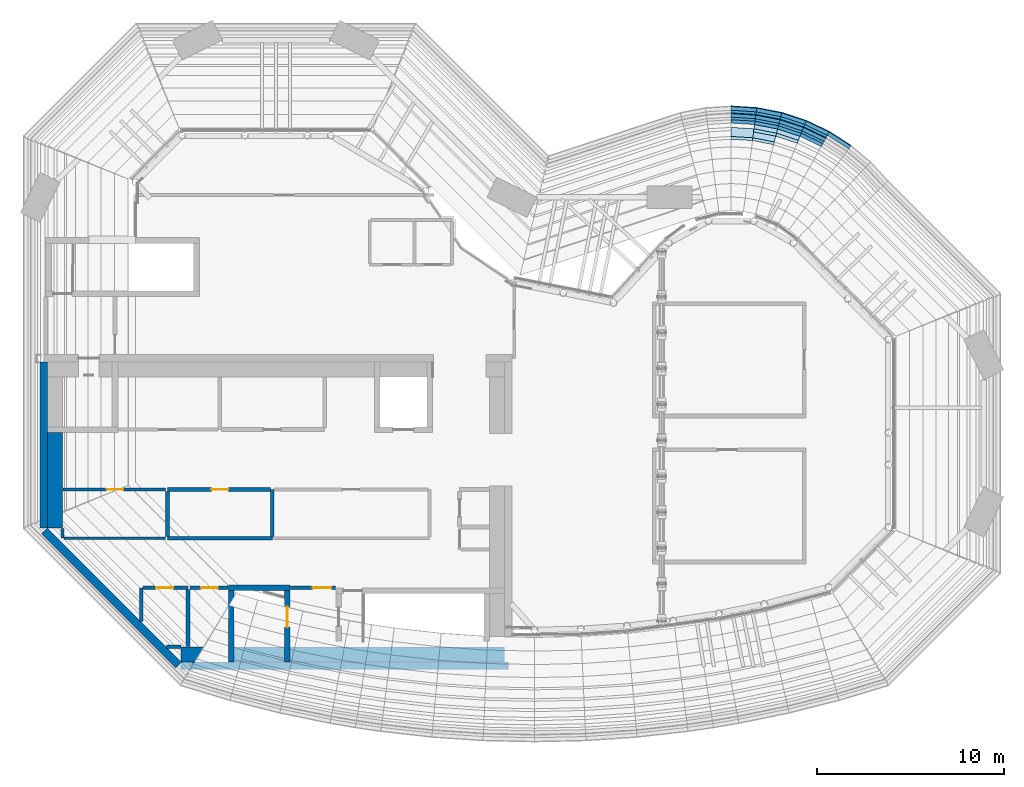
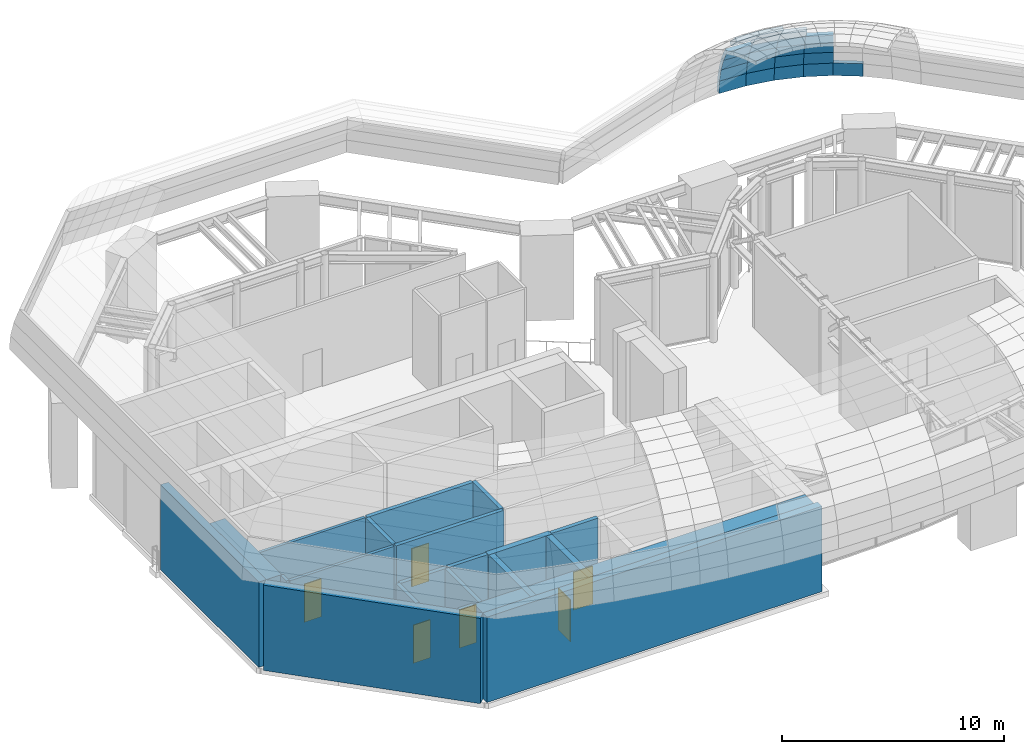
# One storey, part 16 of 20: 23 walls, 21 plates, 6 doors, 6 openings.
"""IFC4 building model written with IfcOpenShell, lengths in metres."""

from ifc_helpers import new_model, si_unit, direction, frame, frame_2d, origin, place, context, subcontext, project, spatial, polyline, rectangle, outline, extrude, material, layer, layer_set, type_object, element, fill, save


model = new_model("IFC4")

# Units and contexts
model_context = context("Model", 3, precision=1e-05, world=origin(), true_north=direction((0.0, 1.0)))
body_context = subcontext(model_context, "Body", "Model", "MODEL_VIEW")
ifc_project = project(units=[si_unit("LENGTHUNIT", "METRE"), si_unit("AREAUNIT", "SQUARE_METRE"), si_unit("VOLUMEUNIT", "CUBIC_METRE"), si_unit("PLANEANGLEUNIT", "RADIAN"), si_unit("MASSUNIT", "GRAM", prefix="KILO")], contexts=[model_context])

# Site, building, storey
site_placement = place(None, origin())
site = spatial("IfcSite", under=ifc_project, at=site_placement, CompositionType="ELEMENT")
building_placement = place(site_placement, origin())
building = spatial("IfcBuilding", under=site, at=building_placement, Name="Brevane Broadcast Tower", CompositionType="ELEMENT")
storey_placement = place(building_placement, frame((0.0, 0.0, 264.199951171875)))
storey = spatial("IfcBuildingStorey", under=building, at=storey_placement, Name="L66", CompositionType="ELEMENT", Elevation=264.199951171875)

# Plates
ifc_material_1 = material(Name="Aluminium bronze anodised", Category="aluminium")
ifc_layer_1 = layer(ifc_material_1, 0.199951171875)
ifc_layer_set_1 = layer_set([ifc_layer_1], Name="Canopy shoulder plate 200")
plate_type = type_object("IfcPlateType", Name="Canopy shoulder plate 200", PredefinedType="SHEET", material=ifc_layer_set_1)
plate_1_placement = place(storey_placement, frame((43.317138671875, 27.99169921875, 5.150146484375), z_axis=(0.539623240663, 0.839354653462, 0.0655020904), x_axis=(-0.841161079454, 0.54078465068, -6.93935e-07)))
element("IfcPlate", 1, at=plate_1_placement, inside=storey, type_object=plate_type, Name="Canopy shoulder", PredefinedType="SHEET", context=body_context, shape_type="SweptSolid", body=[
    extrude(outline(polyline([(0.0, 0.0), (1.3728559639980205, 6.938893903907228e-18), (1.3698614391128725, 0.7325311422460334), (0.002829064482020572, 0.7325292368507225), (0.0, 0.0)])), origin(), (0.0, 0.0, -1.0), 0.199951171875),
])
plate_2_placement = place(storey_placement, frame((42.162353515625, 28.734130859375, 5.150146484375), z_axis=(0.428992527378, 0.900928762677, 0.065519279873), x_axis=(-0.902868746443, 0.429916301966, -2.52722e-07)))
element("IfcPlate", 2, at=plate_2_placement, inside=storey, type_object=plate_type, Name="Canopy shoulder", PredefinedType="SHEET", context=body_context, shape_type="SweptSolid", body=[
    extrude(outline(polyline([(0.0, 0.0), (1.3731213653789252, -6.938893903907228e-18), (1.370004660931143, 0.7325313650349983), (0.0031076755546150464, 0.7325306710818967), (0.0, 0.0)])), origin(), (0.0, 0.0, -1.0), 0.199951171875),
])
plate_3_placement = place(storey_placement, frame((42.138916015625, 28.692138671875, 5.881103515625), z_axis=(0.421655057698, 0.885546161536, 0.194974378077), x_axis=(-0.902873683563, 0.429905933347, -1.507686e-06)))
element("IfcPlate", 3, at=plate_3_placement, inside=storey, type_object=plate_type, Name="Canopy shoulder", PredefinedType="SHEET", context=body_context, shape_type="SweptSolid", body=[
    extrude(outline(polyline([(0.0, 0.0), (1.3668969853460982, -2.7755575615628914e-17), (1.3578523563573455, 0.7323181702586614), (0.009082696857397356, 0.7323139957693421), (0.0, 0.0)])), origin(), (0.0, 0.0, -1.0), 0.199951171875),
])
plate_4_placement = place(storey_placement, frame((42.0693359375, 28.567138671875, 6.599365234375), z_axis=(0.407134836902, 0.854913828446, 0.321502053668), x_axis=(-0.902850112922, 0.429955431571, 2.1428807e-05)))
element("IfcPlate", 4, at=plate_4_placement, inside=storey, type_object=plate_type, Name="Canopy shoulder", PredefinedType="SHEET", context=body_context, shape_type="SweptSolid", body=[
    extrude(outline(polyline([(0.0, 0.0), (1.3487696565518625, -2.7755575615628914e-17), (1.3337584377190823, 0.7324621710137448), (0.01491408511644863, 0.7325225398493933), (0.0, 0.0)])), origin(), (0.0, 0.0, -1.0), 0.199951171875),
])
plate_5_placement = place(storey_placement, frame((41.95458984375, 28.36083984375, 7.29296875), z_axis=(0.385653884926, 0.809679192909, 0.442369399499), x_axis=(-0.902819655592, 0.430019382657, -4.157427e-06)))
element("IfcPlate", 5, at=plate_5_placement, inside=storey, type_object=plate_type, Name="Canopy shoulder", PredefinedType="SHEET", context=body_context, shape_type="SweptSolid", body=[
    extrude(outline(polyline([(0.0, 0.0), (1.3188443569899955, 5.551115123125783e-17), (1.2980698903509795, 0.7325643299089377), (0.020612941134282713, 0.7325522942983611), (0.0, 0.0)])), origin(), (0.0, 0.0, -1.0), 0.199951171875),
])
plate_6_placement = place(storey_placement, frame((40.922607421875, 29.324462890625, 5.150146484375), z_axis=(0.311492011303, 0.947992101771, 0.065449995216), x_axis=(-0.950029169282, 0.312161140286, 3.075097e-06)))
element("IfcPlate", 6, at=plate_6_placement, inside=storey, type_object=plate_type, Name="Canopy shoulder", PredefinedType="SHEET", context=body_context, shape_type="SweptSolid", body=[
    extrude(outline(polyline([(0.0, 0.0), (1.372777984253965, 0.0), (1.3698971367562958, 0.7325234585866754), (0.0029872674621645723, 0.732531901494918), (0.0, 0.0)])), origin(), (0.0, 0.0, -1.0), 0.199951171875),
])
plate_7_placement = place(storey_placement, frame((40.90478515625, 29.27978515625, 5.881103515625), z_axis=(0.306154503957, 0.931778411094, 0.195085653821), x_axis=(-0.950031453025, 0.312154189696, -1.0901093e-05)))
element("IfcPlate", 7, at=plate_7_placement, inside=storey, type_object=plate_type, Name="Canopy shoulder", PredefinedType="SHEET", context=body_context, shape_type="SweptSolid", body=[
    extrude(outline(polyline([(0.0, 0.0), (1.3669098687078818, 0.0), (1.357710399184146, 0.7323476949053065), (0.009097389294004714, 0.7323175128250423), (0.0, 0.0)])), origin(), (0.0, 0.0, -1.0), 0.199951171875),
])
plate_8_placement = place(storey_placement, frame((40.8515625, 29.14697265625, 6.599365234375), z_axis=(0.29554906046, 0.89964787319, 0.321378992975), x_axis=(-0.950047557114, 0.31210517332, 2.823797e-06)))
element("IfcPlate", 8, at=plate_8_placement, inside=storey, type_object=plate_type, Name="Canopy shoulder", PredefinedType="SHEET", context=body_context, shape_type="SweptSolid", body=[
    extrude(outline(polyline([(0.0, 0.0), (1.3486130123387987, 0.0), (1.3337329444020485, 0.73245606392005), (0.014921082749632398, 0.7324640181523628), (0.0, 0.0)])), origin(), (0.0, 0.0, -1.0), 0.199951171875),
])
plate_9_placement = place(storey_placement, frame((40.763916015625, 28.927978515625, 7.29296875), z_axis=(0.279963575929, 0.85203372626, 0.442333500278), x_axis=(-0.950031640845, 0.312153617622, 1.9997193e-05)))
element("IfcPlate", 9, at=plate_9_placement, inside=storey, type_object=plate_type, Name="Canopy shoulder", PredefinedType="SHEET", context=body_context, shape_type="SweptSolid", body=[
    extrude(outline(polyline([(0.0, 0.0), (1.318811860381944, 2.7755575615628914e-17), (1.2982119274254897, 0.7325149032441272), (0.020473565737749055, 0.732572798856172), (0.0, 0.0)])), origin(), (0.0, 0.0, -1.0), 0.199951171875),
])
plate_10_placement = place(storey_placement, frame((40.643310546875, 28.62646484375, 7.949951171875), z_axis=(0.259538347605, 0.789966298254, 0.555511560406), x_axis=(-0.950031179873, 0.312155018605, -4.0362673e-05)))
element("IfcPlate", 10, at=plate_10_placement, inside=storey, type_object=plate_type, Name="Canopy shoulder", PredefinedType="SHEET", context=body_context, shape_type="SweptSolid", body=[
    extrude(outline(polyline([(0.0, 0.0), (1.27773836101765, 8.326672684688674e-17), (1.25189796199239, 0.7326216877649946), (0.02588583471521218, 0.7325001519956925), (0.0, 0.0)])), origin(), (0.0, 0.0, -1.0), 0.199951171875),
])
plate_11_placement = place(storey_placement, frame((39.618408203125, 29.7529296875, 5.150146484375), z_axis=(0.188954713546, 0.979807994618, 0.065363674256), x_axis=(-0.981907783495, 0.189359723045, -1.017992e-06)))
element("IfcPlate", 11, at=plate_11_placement, inside=storey, type_object=plate_type, Name="Canopy shoulder", PredefinedType="SHEET", context=body_context, shape_type="SweptSolid", body=[
    extrude(outline(polyline([(0.0, 0.0), (1.3729889857178037, 0.0), (1.3699664028869074, 0.7325249242108874), (0.0032016586736423407, 0.7325221291856203), (0.0, 0.0)])), origin(), (0.0, 0.0, -1.0), 0.199951171875),
])
plate_12_placement = place(storey_placement, frame((39.606201171875, 29.70654296875, 5.881103515625), z_axis=(0.185708713936, 0.963022253038, 0.195193272735), x_axis=(-0.981909530517, 0.189350663789, 1.297471e-06)))
element("IfcPlate", 12, at=plate_12_placement, inside=storey, type_object=plate_type, Name="Canopy shoulder", PredefinedType="SHEET", context=body_context, shape_type="SweptSolid", body=[
    extrude(outline(polyline([(0.0, 0.0), (1.3667647443532016, 6.938893903907228e-18), (1.3576004465238924, 0.7323467968907569), (0.008982749294914265, 0.7323503891166018), (0.0, 0.0)])), origin(), (0.0, 0.0, -1.0), 0.199951171875),
])
plate_13_placement = place(storey_placement, frame((39.5703125, 29.56787109375, 6.599365234375), z_axis=(0.179234247888, 0.9297993285, 0.321478293366), x_axis=(-0.981921277127, 0.189289738161, -2.3484769e-05)))
element("IfcPlate", 13, at=plate_13_placement, inside=storey, type_object=plate_type, Name="Canopy shoulder", PredefinedType="SHEET", context=body_context, shape_type="SweptSolid", body=[
    extrude(outline(polyline([(0.0, 0.0), (1.3486176936658085, -1.3877787807814457e-17), (1.3337692410198634, 0.7325191933442524), (0.015027891829432443, 0.7324530393796458), (0.0, 0.0)])), origin(), (0.0, 0.0, -1.0), 0.199951171875),
])
plate_14_placement = place(storey_placement, frame((39.510986328125, 29.339599609375, 7.29296875), z_axis=(0.169693619976, 0.880686272263, 0.442262100102), x_axis=(-0.981937918387, 0.189203394352, -5.24821e-07)))
element("IfcPlate", 14, at=plate_14_placement, inside=storey, type_object=plate_type, Name="Canopy shoulder", PredefinedType="SHEET", context=body_context, shape_type="SweptSolid", body=[
    extrude(outline(polyline([(0.0, 0.0), (1.3187413545288726, 0.0), (1.2980882492663801, 0.7325158495121638), (0.020620381815495668, 0.7325143303162109), (0.0, 0.0)])), origin(), (0.0, 0.0, -1.0), 0.199951171875),
])
plate_15_placement = place(storey_placement, frame((39.429443359375, 29.025390625, 7.949951171875), z_axis=(0.157318285627, 0.816433247266, 0.555596715043), x_axis=(-0.981937250564, 0.189206860192, 3.444191e-06)))
element("IfcPlate", 15, at=plate_15_placement, inside=storey, type_object=plate_type, Name="Canopy shoulder", PredefinedType="SHEET", context=body_context, shape_type="SweptSolid", body=[
    extrude(outline(polyline([(0.0, 0.0), (1.277467867428201, 2.7755575615628914e-17), (1.2517509541074319, 0.7326058617204458), (0.025994810928476966, 0.7326162310285694), (0.0, 0.0)])), origin(), (0.0, 0.0, -1.0), 0.199951171875),
])
plate_16_placement = place(storey_placement, frame((39.326904296875, 28.630615234375, 8.55908203125), z_axis=(0.142310715641, 0.738280037486, 0.659310432546), x_axis=(-0.981928945819, 0.189249952398, 2.9650733e-05)))
element("IfcPlate", 16, at=plate_16_placement, inside=storey, type_object=plate_type, Name="Canopy shoulder", PredefinedType="SHEET", context=body_context, shape_type="SweptSolid", body=[
    extrude(outline(polyline([(0.0, 0.0), (1.2257561420088428, 0.0), (1.1951081075945593, 0.7325005685364949), (0.030736535258597753, 0.7325948254694838), (0.0, 0.0)])), origin(), (0.0, 0.0, -1.0), 0.199951171875),
])
plate_17_placement = place(storey_placement, frame((38.270263671875, 30.012939453125, 5.150146484375), z_axis=(0.063301671525, 0.995845537573, 0.065456578577), x_axis=(-0.997985789499, 0.063437874743, -2.380858e-06)))
element("IfcPlate", 17, at=plate_17_placement, inside=storey, type_object=plate_type, Name="Canopy shoulder", PredefinedType="SHEET", context=body_context, shape_type="SweptSolid", body=[
    extrude(outline(polyline([(0.0, 0.0), (1.3731302631207252, -8.673617379884035e-19), (1.3700774336255974, 0.7325312661794541), (0.003069367889385862, 0.7325247282792854), (0.0, 0.0)])), origin(), (0.0, 0.0, -1.0), 0.199951171875),
])
plate_18_placement = place(storey_placement, frame((38.26416015625, 29.96533203125, 5.881103515625), z_axis=(0.062154799897, 0.978783813415, 0.195240947157), x_axis=(-0.997989756179, 0.063375441113, -5.133835e-06)))
element("IfcPlate", 18, at=plate_18_placement, inside=storey, type_object=plate_type, Name="Canopy shoulder", PredefinedType="SHEET", context=body_context, shape_type="SweptSolid", body=[
    extrude(outline(polyline([(0.0, 0.0), (1.3670080661916517, 0.0), (1.3579220096301434, 0.7323627869788389), (0.009021394405967251, 0.7323485703572452), (0.0, 0.0)])), origin(), (0.0, 0.0, -1.0), 0.199951171875),
])
plate_19_placement = place(storey_placement, frame((38.24609375, 29.8232421875, 6.599365234375), z_axis=(0.0600546888, 0.945016423329, 0.321461341364), x_axis=(-0.997987351463, 0.063413293681, 2.2446968e-05)))
element("IfcPlate", 19, at=plate_19_placement, inside=storey, type_object=plate_type, Name="Canopy shoulder", PredefinedType="SHEET", context=body_context, shape_type="SweptSolid", body=[
    extrude(outline(polyline([(0.0, 0.0), (1.3489006124894505, 3.469446951953614e-18), (1.3339608005121661, 0.7324500405717403), (0.015137418805369044, 0.732513279435827), (0.0, 0.0)])), origin(), (0.0, 0.0, -1.0), 0.199951171875),
])
plate_20_placement = place(storey_placement, frame((38.216064453125, 29.589111328125, 7.29296875), z_axis=(0.056920963057, 0.895050521313, 0.442317271043), x_axis=(-0.997983572664, 0.063472738711, -1.1579474e-05)))
element("IfcPlate", 20, at=plate_20_placement, inside=storey, type_object=plate_type, Name="Canopy shoulder", PredefinedType="SHEET", context=body_context, shape_type="SweptSolid", body=[
    extrude(outline(polyline([(0.0, 0.0), (1.3188233861346295, 0.0), (1.2982057340714814, 0.732554073108131), (0.020485726924476255, 0.7325205487536279), (0.0, 0.0)])), origin(), (0.0, 0.0, -1.0), 0.199951171875),
])
plate_21_placement = place(storey_placement, frame((38.123291015625, 28.862548828125, 8.55908203125), z_axis=(0.047768730941, 0.750399147954, 0.659256601859), x_axis=(-0.99797992176, 0.063530116981, -1.078919e-06)))
element("IfcPlate", 21, at=plate_21_placement, inside=storey, type_object=plate_type, Name="Canopy shoulder", PredefinedType="SHEET", context=body_context, shape_type="SweptSolid", body=[
    extrude(outline(polyline([(0.0, 0.0), (1.2258651111460184, 0.0), (1.1951231370497468, 0.7325034286328245), (0.03066169832397873, 0.7324999987784239), (0.0, 0.0)])), origin(), (0.0, 0.0, -1.0), 0.199951171875),
])

# Walls
ifc_material_2 = material(Name="Concrete C32/40", Category="concrete")
ifc_layer_2 = layer(ifc_material_2, 0.800048828125)
ifc_layer_set_2 = layer_set([ifc_layer_2], Name="Core chase wall 800 mm")
wall_type_1 = type_object("IfcWallType", Name="Core chase wall 800 mm", PredefinedType="PARTITIONING", material=ifc_layer_set_2)
wall_1_placement = place(storey_placement, frame((0.800048828125, 7.536376953125, 0.0), z_axis=(0.0, 0.0, 1.0), x_axis=(0.0, 1.0, 0.0)))
element("IfcWall", 22, at=wall_1_placement, inside=storey, type_object=wall_type_1, Name="L66 chase wall LW-1", PredefinedType="PARTITIONING", context=body_context, shape_type="SweptSolid", body=[
    extrude(rectangle(XDim=5.113525390625, YDim=0.800048828125, at=frame_2d((2.556640625, 0.0))), origin(), (0.0, 0.0, 1.0), 4.699951171875),
])
wall_2_placement = place(storey_placement, frame((7.536376953125, 0.800048828125, 0.0), z_axis=(0.0, 0.0, 1.0), x_axis=(1.0, 0.0, 0.0)))
element("IfcWall", 23, at=wall_2_placement, inside=storey, type_object=wall_type_1, Name="L66 chase wall LS-1", PredefinedType="PARTITIONING", context=body_context, shape_type="SweptSolid", body=[
    extrude(rectangle(XDim=2.513671875, YDim=0.800048828125, at=frame_2d((1.2568359375, 0.0))), origin(), (0.0, 0.0, 1.0), 4.699951171875),
])
wall_3_placement = place(storey_placement, frame((10.35009765625, 0.800048828125, 0.0), z_axis=(0.0, 0.0, 1.0), x_axis=(1.0, 0.0, 0.0)))
element("IfcWall", 24, at=wall_3_placement, inside=storey, type_object=wall_type_1, Name="L66 chase wall LS-2-1", PredefinedType="PARTITIONING", context=body_context, shape_type="SweptSolid", body=[
    extrude(rectangle(XDim=2.699951171875, YDim=0.800048828125, at=frame_2d((1.35009765625, 0.0))), origin(), (0.0, 0.0, 1.0), 4.699951171875),
])
wall_4_placement = place(storey_placement, frame((13.35009765625, 0.800048828125, 0.0), z_axis=(0.0, 0.0, 1.0), x_axis=(1.0, 0.0, 0.0)))
element("IfcWall", 25, at=wall_4_placement, inside=storey, type_object=wall_type_1, Name="L66 chase wall LS-2-2", PredefinedType="PARTITIONING", context=body_context, shape_type="SweptSolid", body=[
    extrude(rectangle(XDim=11.449951171875, YDim=0.800048828125, at=frame_2d((5.72509765625, 0.0))), origin(), (0.0, 0.0, 1.0), 4.699951171875),
])

# Wall, opening, door
ifc_material_3 = material(Name="Gypsum board on steel studs", Category="steel")
ifc_layer_3 = layer(ifc_material_3, 0.14990234375)
ifc_layer_set_3 = layer_set([ifc_layer_3], Name="Core fire partition 150 mm")
wall_type_2 = type_object("IfcWallType", Name="Core fire partition 150 mm", PredefinedType="PARTITIONING", material=ifc_layer_set_3)
wall_5_placement = place(storey_placement, frame((6.699951171875, 9.60009765625, 0.0), z_axis=(0.0, 0.0, 1.0), x_axis=(-1.0, 0.0, 0.0)))
wall_5 = element("IfcWall", 26, at=wall_5_placement, inside=storey, type_object=wall_type_2, Name="L66 partition wall P20", PredefinedType="PARTITIONING", context=body_context, shape_type="SweptSolid", body=[
    extrude(rectangle(XDim=5.488037109375, YDim=0.14990234375, at=frame_2d((2.744140625, 0.0))), origin(), (0.0, 0.0, 1.0), 4.699951171875),
])
opening_1_placement = place(wall_5_placement, frame((2.25, 0.0, 0.0)))
opening_1 = element("IfcOpeningElement", 27, at=opening_1_placement, cuts=wall_5, Name="Opening L66-K14", PredefinedType="OPENING", context=body_context, shape_type="SweptSolid", body=[
    extrude(rectangle(XDim=0.89990234375, YDim=2.10009765625, at=frame_2d((0.449951171875, 1.050048828125))), frame((0.0, 0.0849609375, 0.0), z_axis=(0.0, -1.0, 0.0), x_axis=(1.0, 0.0, 0.0)), (0.0, 0.0, 1.0), 0.169921875),
])
ifc_material_4 = material(Name="Steel", Category="steel")
door_type_1 = type_object("IfcDoorType", Name="Service room door 900 x 2100", OperationType="SINGLE_SWING_LEFT", PredefinedType="DOOR", material=ifc_material_4)
door_1_placement = place(opening_1_placement, origin())
door_1 = element("IfcDoor", 28, at=door_1_placement, inside=storey, type_object=door_type_1, Name="Door L66-K14", OperationType="SINGLE_SWING_RIGHT", OverallHeight=2.10009765625, OverallWidth=0.89990234375, PredefinedType="DOOR", context=body_context, shape_type="SweptSolid", body=[
    extrude(rectangle(XDim=0.89990234375, YDim=2.10009765625, at=frame_2d((0.449951171875, 1.050048828125))), frame((0.0, 0.02490234375, 0.0), z_axis=(0.0, -1.0, 0.0), x_axis=(1.0, 0.0, 0.0)), (0.0, 0.0, 1.0), 0.050048828125),
])
fill(opening_1, door_1)

# Walls
wall_6_placement = place(storey_placement, frame((1.199951171875, 7.5244140625, 0.0), z_axis=(0.0, 0.0, 1.0), x_axis=(0.0, -1.0, 0.0)))
element("IfcWall", 29, at=wall_6_placement, inside=storey, type_object=wall_type_2, Name="L66 partition wall P21", PredefinedType="PARTITIONING", context=body_context, shape_type="SweptSolid", body=[
    extrude(rectangle(XDim=0.5244140625, YDim=0.14990234375, at=frame_2d((0.26220703125, 0.0))), origin(), (0.0, 0.0, 1.0), 4.699951171875),
])
wall_7_placement = place(storey_placement, frame((1.27490234375, 7.0, 0.0), z_axis=(0.0, 0.0, 1.0), x_axis=(1.0, 0.0, 0.0)))
element("IfcWall", 30, at=wall_7_placement, inside=storey, type_object=wall_type_2, Name="L66 partition wall P22", PredefinedType="PARTITIONING", context=body_context, shape_type="SweptSolid", body=[
    extrude(rectangle(XDim=5.425048828125, YDim=0.14990234375, at=frame_2d((2.71240234375, 0.0))), origin(), (0.0, 0.0, 1.0), 4.699951171875),
])

# Wall, opening, door
ifc_layer_4 = layer(ifc_material_3, 0.199951171875)
ifc_layer_set_4 = layer_set([ifc_layer_4], Name="Core fire partition 200 mm")
wall_type_3 = type_object("IfcWallType", Name="Core fire partition 200 mm", PredefinedType="PARTITIONING", material=ifc_layer_set_4)
wall_8_placement = place(storey_placement, frame((13.362060546875, 4.35009765625, 0.0), z_axis=(0.0, 0.0, 1.0), x_axis=(1.0, 0.0, 0.0)))
wall_8 = element("IfcWall", 31, at=wall_8_placement, inside=storey, type_object=wall_type_3, Name="L66 partition wall P03", PredefinedType="PARTITIONING", context=body_context, shape_type="SweptSolid", body=[
    extrude(rectangle(XDim=2.426025390625, YDim=0.199951171875, at=frame_2d((1.212890625, 0.0))), origin(), (0.0, 0.0, 1.0), 4.699951171875),
])
opening_2_placement = place(wall_8_placement, frame((1.18798828125, 0.0, 0.0)))
opening_2 = element("IfcOpeningElement", 32, at=opening_2_placement, cuts=wall_8, Name="Opening L66-K09", PredefinedType="OPENING", context=body_context, shape_type="SweptSolid", body=[
    extrude(rectangle(XDim=1.0, YDim=2.10009765625, at=frame_2d((0.5, 1.050048828125))), frame((0.0, 0.10986328125, 0.0), z_axis=(0.0, -1.0, 0.0), x_axis=(1.0, 0.0, 0.0)), (0.0, 0.0, 1.0), 0.219970703125),
])
door_type_2 = type_object("IfcDoorType", Name="Stair door 1000 x 2100", OperationType="SINGLE_SWING_LEFT", PredefinedType="DOOR", material=ifc_material_4)
door_2_placement = place(opening_2_placement, origin())
door_2 = element("IfcDoor", 33, at=door_2_placement, inside=storey, type_object=door_type_2, Name="Door L66-K09", OperationType="SINGLE_SWING_LEFT", OverallHeight=2.10009765625, OverallWidth=1.0, PredefinedType="DOOR", context=body_context, shape_type="SweptSolid", body=[
    extrude(rectangle(XDim=1.0, YDim=2.10009765625, at=frame_2d((0.5, 1.050048828125))), frame((0.0, 0.02490234375, 0.0), z_axis=(0.0, -1.0, 0.0), x_axis=(1.0, 0.0, 0.0)), (0.0, 0.0, 1.0), 0.050048828125),
])
fill(opening_2, door_2)

# Wall
wall_9_placement = place(storey_placement, frame((5.39990234375, 2.553466796875, 0.0), z_axis=(0.0, 0.0, 1.0), x_axis=(0.0, 1.0, 0.0)))
element("IfcWall", 34, at=wall_9_placement, inside=storey, type_object=wall_type_3, Name="L66 partition wall P04", PredefinedType="PARTITIONING", context=body_context, shape_type="SweptSolid", body=[
    extrude(rectangle(XDim=1.796630859375, YDim=0.199951171875, at=frame_2d((0.8984375, 0.0))), origin(), (0.0, 0.0, 1.0), 4.699951171875),
])

# Wall, opening, door
wall_10_placement = place(storey_placement, frame((5.5, 4.35009765625, 0.0), z_axis=(0.0, 0.0, 1.0), x_axis=(1.0, 0.0, 0.0)))
wall_10 = element("IfcWall", 35, at=wall_10_placement, inside=storey, type_object=wall_type_3, Name="L66 partition wall P05", PredefinedType="PARTITIONING", context=body_context, shape_type="SweptSolid", body=[
    extrude(rectangle(XDim=2.39990234375, YDim=0.199951171875, at=frame_2d((1.199951171875, 0.0))), origin(), (0.0, 0.0, 1.0), 4.699951171875),
])
opening_3_placement = place(wall_10_placement, frame((0.699951171875, 0.0, 0.0)))
opening_3 = element("IfcOpeningElement", 36, at=opening_3_placement, cuts=wall_10, Name="Opening L66-K07", PredefinedType="OPENING", context=body_context, shape_type="SweptSolid", body=[
    extrude(rectangle(XDim=0.89990234375, YDim=2.10009765625, at=frame_2d((0.449951171875, 1.050048828125))), frame((0.0, 0.10986328125, 0.0), z_axis=(0.0, -1.0, 0.0), x_axis=(1.0, 0.0, 0.0)), (0.0, 0.0, 1.0), 0.219970703125),
])
door_3_placement = place(opening_3_placement, origin())
door_3 = element("IfcDoor", 37, at=door_3_placement, inside=storey, type_object=door_type_1, Name="Door L66-K07", OperationType="SINGLE_SWING_LEFT", OverallHeight=2.10009765625, OverallWidth=0.89990234375, PredefinedType="DOOR", context=body_context, shape_type="SweptSolid", body=[
    extrude(rectangle(XDim=0.89990234375, YDim=2.10009765625, at=frame_2d((0.449951171875, 1.050048828125))), frame((0.0, 0.02490234375, 0.0), z_axis=(0.0, -1.0, 0.0), x_axis=(1.0, 0.0, 0.0)), (0.0, 0.0, 1.0), 0.050048828125),
])
fill(opening_3, door_3)

# Walls
wall_11_placement = place(storey_placement, frame((7.89990234375, 4.25, 0.0), z_axis=(0.0, 0.0, 1.0), x_axis=(0.0, -1.0, 0.0)))
element("IfcWall", 38, at=wall_11_placement, inside=storey, type_object=wall_type_3, Name="L66 partition wall P06", PredefinedType="PARTITIONING", context=body_context, shape_type="SweptSolid", body=[
    extrude(rectangle(XDim=3.0380859375, YDim=0.199951171875, at=frame_2d((1.51904296875, 0.0))), origin(), (0.0, 0.0, 1.0), 4.699951171875),
])
wall_12_placement = place(storey_placement, frame((7.5244140625, 1.199951171875, 0.0), z_axis=(0.0, 0.0, 1.0), x_axis=(-1.0, 0.0, 0.0)))
element("IfcWall", 39, at=wall_12_placement, inside=storey, type_object=wall_type_3, Name="L66 partition wall P07", PredefinedType="PARTITIONING", context=body_context, shape_type="SweptSolid", body=[
    extrude(rectangle(XDim=0.77099609375, YDim=0.199951171875, at=frame_2d((0.385498046875, 0.0))), origin(), (0.0, 0.0, 1.0), 4.699951171875),
])

# Wall, opening, door
wall_13_placement = place(storey_placement, frame((10.0380859375, 4.35009765625, 0.0), z_axis=(0.0, 0.0, 1.0), x_axis=(-1.0, 0.0, 0.0)))
wall_13 = element("IfcWall", 40, at=wall_13_placement, inside=storey, type_object=wall_type_3, Name="L66 partition wall P08", PredefinedType="PARTITIONING", context=body_context, shape_type="SweptSolid", body=[
    extrude(rectangle(XDim=2.0380859375, YDim=0.199951171875, at=frame_2d((1.01904296875, 0.0))), origin(), (0.0, 0.0, 1.0), 4.699951171875),
])
opening_4_placement = place(wall_13_placement, frame((0.5380859375, 0.0, 0.0)))
opening_4 = element("IfcOpeningElement", 41, at=opening_4_placement, cuts=wall_13, Name="Opening L66-K08", PredefinedType="OPENING", context=body_context, shape_type="SweptSolid", body=[
    extrude(rectangle(XDim=0.89990234375, YDim=2.10009765625, at=frame_2d((0.449951171875, 1.050048828125))), frame((0.0, 0.10986328125, 0.0), z_axis=(0.0, -1.0, 0.0), x_axis=(1.0, 0.0, 0.0)), (0.0, 0.0, 1.0), 0.219970703125),
])
door_4_placement = place(opening_4_placement, origin())
door_4 = element("IfcDoor", 42, at=door_4_placement, inside=storey, type_object=door_type_1, Name="Door L66-K08", OperationType="SINGLE_SWING_RIGHT", OverallHeight=2.10009765625, OverallWidth=0.89990234375, PredefinedType="DOOR", context=body_context, shape_type="SweptSolid", body=[
    extrude(rectangle(XDim=0.89990234375, YDim=2.10009765625, at=frame_2d((0.449951171875, 1.050048828125))), frame((0.0, 0.02490234375, 0.0), z_axis=(0.0, -1.0, 0.0), x_axis=(1.0, 0.0, 0.0)), (0.0, 0.0, 1.0), 0.050048828125),
])
fill(opening_4, door_4)

# Walls
wall_14_placement = place(storey_placement, frame((6.800048828125, 7.0, 0.0), z_axis=(0.0, 0.0, 1.0), x_axis=(1.0, 0.0, 0.0)))
element("IfcWall", 43, at=wall_14_placement, inside=storey, type_object=wall_type_3, Name="L66 partition wall P15", PredefinedType="PARTITIONING", context=body_context, shape_type="SweptSolid", body=[
    extrude(rectangle(XDim=5.599853515625, YDim=0.199951171875, at=frame_2d((2.7998046875, 0.0))), origin(), (0.0, 0.0, 1.0), 4.699951171875),
])
wall_15_placement = place(storey_placement, frame((12.39990234375, 7.10009765625, 0.0), z_axis=(0.0, 0.0, 1.0), x_axis=(0.0, 1.0, 0.0)))
element("IfcWall", 44, at=wall_15_placement, inside=storey, type_object=wall_type_3, Name="L66 partition wall P16", PredefinedType="PARTITIONING", context=body_context, shape_type="SweptSolid", body=[
    extrude(rectangle(XDim=2.5, YDim=0.199951171875, at=frame_2d((1.25, 0.0))), origin(), (0.0, 0.0, 1.0), 4.699951171875),
])

# Wall, opening, door
wall_16_placement = place(storey_placement, frame((12.300048828125, 9.60009765625, 0.0), z_axis=(0.0, 0.0, 1.0), x_axis=(-1.0, 0.0, 0.0)))
wall_16 = element("IfcWall", 45, at=wall_16_placement, inside=storey, type_object=wall_type_3, Name="L66 partition wall P17", PredefinedType="PARTITIONING", context=body_context, shape_type="SweptSolid", body=[
    extrude(rectangle(XDim=5.5, YDim=0.199951171875, at=frame_2d((2.75, 0.0))), origin(), (0.0, 0.0, 1.0), 4.699951171875),
])
opening_5_placement = place(wall_16_placement, frame((2.25, 0.0, 0.0)))
opening_5 = element("IfcOpeningElement", 46, at=opening_5_placement, cuts=wall_16, Name="Opening L66-K15", PredefinedType="OPENING", context=body_context, shape_type="SweptSolid", body=[
    extrude(rectangle(XDim=0.89990234375, YDim=2.10009765625, at=frame_2d((0.449951171875, 1.050048828125))), frame((0.0, 0.10986328125, 0.0), z_axis=(0.0, -1.0, 0.0), x_axis=(1.0, 0.0, 0.0)), (0.0, 0.0, 1.0), 0.219970703125),
])
door_5_placement = place(opening_5_placement, origin())
door_5 = element("IfcDoor", 47, at=door_5_placement, inside=storey, type_object=door_type_1, Name="Door L66-K15", OperationType="SINGLE_SWING_LEFT", OverallHeight=2.10009765625, OverallWidth=0.89990234375, PredefinedType="DOOR", context=body_context, shape_type="SweptSolid", body=[
    extrude(rectangle(XDim=0.89990234375, YDim=2.10009765625, at=frame_2d((0.449951171875, 1.050048828125))), frame((0.0, 0.02490234375, 0.0), z_axis=(0.0, -1.0, 0.0), x_axis=(1.0, 0.0, 0.0)), (0.0, 0.0, 1.0), 0.050048828125),
])
fill(opening_5, door_5)

# Walls
wall_17_placement = place(storey_placement, frame((6.800048828125, 9.5, 0.0), z_axis=(0.0, 0.0, 1.0), x_axis=(0.0, -1.0, 0.0)))
element("IfcWall", 48, at=wall_17_placement, inside=storey, type_object=wall_type_3, Name="L66 partition wall P18", PredefinedType="PARTITIONING", context=body_context, shape_type="SweptSolid", body=[
    extrude(rectangle(XDim=2.39990234375, YDim=0.199951171875, at=frame_2d((1.199951171875, 0.0))), origin(), (0.0, 0.0, 1.0), 4.699951171875),
])
ifc_material_5 = material(Name="Concrete C50/60", Category="concrete")
ifc_layer_5 = layer(ifc_material_5, 0.300048828125)
ifc_layer_set_5 = layer_set([ifc_layer_5], Name="Core wall 300 mm C50/60")
wall_type_4 = type_object("IfcWallType", Name="Core wall 300 mm C50/60", PredefinedType="SHEAR", material=ifc_layer_set_5)
wall_18_placement = place(storey_placement, frame((10.199951171875, 0.39990234375, 0.0), z_axis=(0.0, 0.0, 1.0), x_axis=(0.0, 1.0, 0.0)))
element("IfcWall", 49, at=wall_18_placement, inside=storey, type_object=wall_type_4, Name="L66 shaft wall FF2-W", PredefinedType="SHEAR", context=body_context, shape_type="SweptSolid", body=[
    extrude(rectangle(XDim=3.800048828125, YDim=0.300048828125, at=frame_2d((1.89990234375, 0.0))), origin(), (0.0, 0.0, 1.0), 4.699951171875),
])

# Wall, opening, door
wall_19_placement = place(storey_placement, frame((13.199951171875, 0.39990234375, 0.0), z_axis=(0.0, 0.0, 1.0), x_axis=(0.0, 1.0, 0.0)))
wall_19 = element("IfcWall", 50, at=wall_19_placement, inside=storey, type_object=wall_type_4, Name="L66 shaft wall FF2-E", PredefinedType="SHEAR", context=body_context, shape_type="SweptSolid", body=[
    extrude(rectangle(XDim=3.800048828125, YDim=0.300048828125, at=frame_2d((1.89990234375, 0.0))), origin(), (0.0, 0.0, 1.0), 4.699951171875),
])
opening_6_placement = place(wall_19_placement, frame((1.85009765625, 0.0, 0.0)))
opening_6 = element("IfcOpeningElement", 51, at=opening_6_placement, cuts=wall_19, Name="Opening LD", PredefinedType="OPENING", context=body_context, shape_type="SweptSolid", body=[
    extrude(rectangle(XDim=1.10009765625, YDim=2.300048828125, at=frame_2d((0.550048828125, 1.14990234375))), frame((0.0, 0.159912109375, 0.0), z_axis=(0.0, -1.0, 0.0), x_axis=(1.0, 0.0, 0.0)), (0.0, 0.0, 1.0), 0.320068359375),
])
ifc_material_6 = material(Name="Stainless steel", Category="steel")
door_type_3 = type_object("IfcDoorType", Name="Lift landing door", OperationType="SLIDING_TO_LEFT", PredefinedType="DOOR", material=ifc_material_6)
door_6_placement = place(opening_6_placement, origin())
door_6 = element("IfcDoor", 52, at=door_6_placement, inside=storey, type_object=door_type_3, Name="Landing door FF2 L66", OperationType="SLIDING_TO_LEFT", OverallHeight=2.300048828125, OverallWidth=1.10009765625, PredefinedType="DOOR", context=body_context, shape_type="SweptSolid", body=[
    extrude(rectangle(XDim=1.10009765625, YDim=2.300048828125, at=frame_2d((0.550048828125, 1.14990234375))), frame((0.0, 0.02490234375, 0.0), z_axis=(0.0, -1.0, 0.0), x_axis=(1.0, 0.0, 0.0)), (0.0, 0.0, 1.0), 0.050048828125),
])
fill(opening_6, door_6)

# Walls
wall_20_placement = place(storey_placement, frame((10.050048828125, 4.35009765625, 0.0), z_axis=(0.0, 0.0, 1.0), x_axis=(1.0, 0.0, 0.0)))
element("IfcWall", 53, at=wall_20_placement, inside=storey, type_object=wall_type_4, Name="L66 shaft wall FF2-N", PredefinedType="SHEAR", context=body_context, shape_type="SweptSolid", body=[
    extrude(rectangle(XDim=3.300048828125, YDim=0.300048828125, at=frame_2d((1.64990234375, 0.0))), origin(), (0.0, 0.0, 1.0), 4.699951171875),
])
ifc_layer_6 = layer(ifc_material_5, 0.39990234375)
ifc_layer_set_6 = layer_set([ifc_layer_6], Name="Core wall 400 mm C50/60")
wall_type_5 = type_object("IfcWallType", Name="Core wall 400 mm C50/60", PredefinedType="SHEAR", material=ifc_layer_set_6)
wall_21_placement = place(storey_placement, frame((7.536376953125, 0.199951171875, 0.0), z_axis=(0.0, 0.0, 1.0), x_axis=(1.0, 0.0, 0.0)))
element("IfcWall", 54, at=wall_21_placement, inside=storey, type_object=wall_type_5, Name="L66 outer wall WS", PredefinedType="SHEAR", context=body_context, shape_type="SweptSolid", body=[
    extrude(rectangle(XDim=17.465576171875, YDim=0.39990234375, at=frame_2d((8.73291015625, 0.0))), origin(), (0.0, 0.0, 1.0), 4.699951171875),
])
wall_22_placement = place(storey_placement, frame((0.199951171875, 7.536376953125, 0.0), z_axis=(0.0, 0.0, 1.0), x_axis=(0.0, 1.0, 0.0)))
element("IfcWall", 55, at=wall_22_placement, inside=storey, type_object=wall_type_5, Name="L66 outer wall WW", PredefinedType="SHEAR", context=body_context, shape_type="SweptSolid", body=[
    extrude(rectangle(XDim=8.863525390625, YDim=0.39990234375, at=frame_2d((4.431640625, 0.0))), origin(), (0.0, 0.0, 1.0), 4.699951171875),
])
ifc_layer_7 = layer(ifc_material_5, 0.449951171875)
ifc_layer_set_7 = layer_set([ifc_layer_7], Name="Core wall 450 mm C50/60")
wall_type_6 = type_object("IfcWallType", Name="Core wall 450 mm C50/60", PredefinedType="SHEAR", material=ifc_layer_set_7)
wall_23_placement = place(storey_placement, frame((0.222900390625, 7.395263671875, 0.0), z_axis=(0.0, 0.0, 1.0), x_axis=(0.707106781187, -0.707106781187, 0.0)))
element("IfcWall", 56, at=wall_23_placement, inside=storey, type_object=wall_type_6, Name="L66 outer wall WC", PredefinedType="SHEAR", context=body_context, shape_type="SweptSolid", body=[
    extrude(rectangle(XDim=10.143310546875, YDim=0.449951171875, at=frame_2d((5.07177734375, 0.0))), origin(), (0.0, 0.0, 1.0), 4.699951171875),
])

save(model, "model.ifc")
